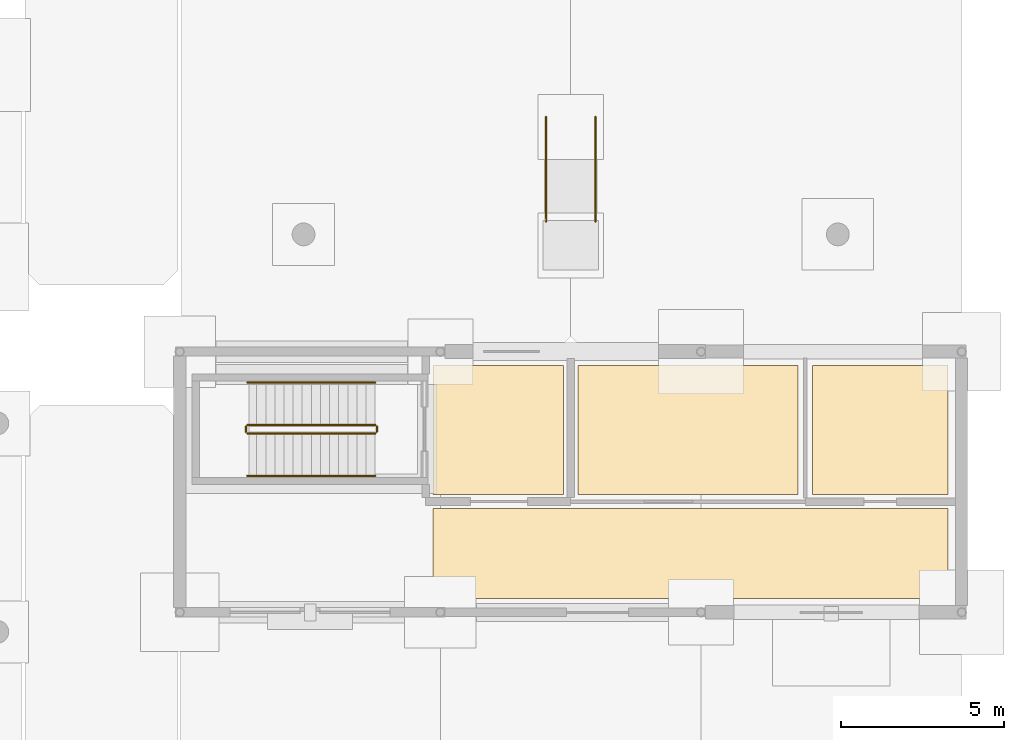
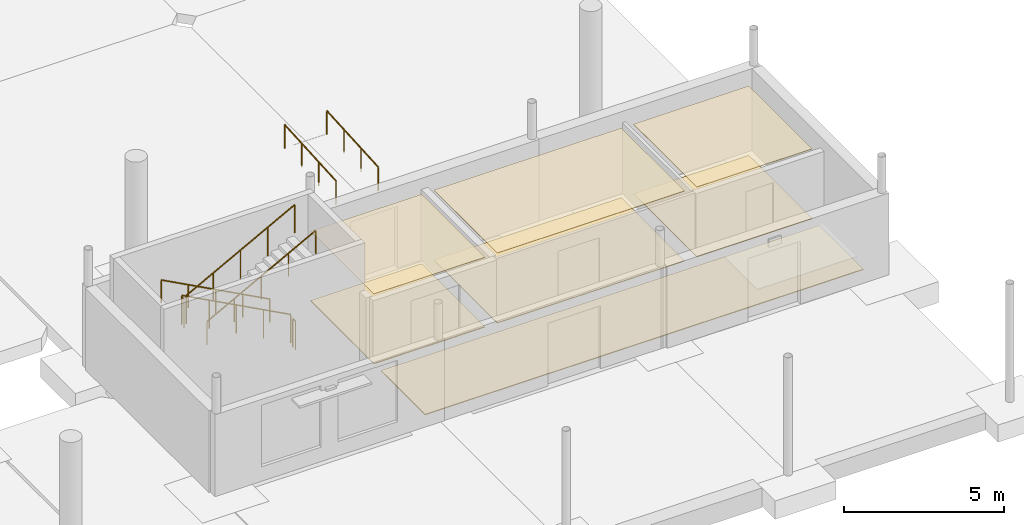
# One storey, part 62 of 63: 8 railings, 7 coverings.
"""IFC4 building model written with IfcOpenShell, lengths in metres."""

from ifc_helpers import new_model, si_unit, direction, frame, origin, origin_2d, place, context, subcontext, project, spatial, polyline, circle, outline, extrude, material, layer, layer_set, type_object, element, save


model = new_model("IFC4")

# Units and contexts
model_context = context("Model", 3, precision=1e-05, world=origin(), true_north=direction((0.0, 1.0)))
body_context = subcontext(model_context, "Body", "Model", "MODEL_VIEW")
ifc_project = project(units=[si_unit("LENGTHUNIT", "METRE"), si_unit("AREAUNIT", "SQUARE_METRE"), si_unit("VOLUMEUNIT", "CUBIC_METRE"), si_unit("PLANEANGLEUNIT", "RADIAN"), si_unit("MASSUNIT", "GRAM", prefix="KILO")], contexts=[model_context])

# Site, building, storey
site_placement = place(None, origin())
site = spatial("IfcSite", under=ifc_project, at=site_placement, CompositionType="ELEMENT")
building_placement = place(site_placement, origin())
building = spatial("IfcBuilding", under=site, at=building_placement, Name="Serraforn Aerial Cableway Station", CompositionType="ELEMENT")
storey_placement = place(building_placement, origin())
storey = spatial("IfcBuildingStorey", under=building, at=storey_placement, Name="L00", CompositionType="ELEMENT", Elevation=0.0)

# Coverings
ifc_material_1 = material(Name="Perforated acoustic mineral ceiling")
ifc_layer_1 = layer(ifc_material_1, 0.02490234375)
ifc_layer_set_1 = layer_set([ifc_layer_1], Name="Perforated acoustic mineral ceiling")
covering_type_1 = type_object("IfcCoveringType", Name="COV-CLG-AC", PredefinedType="CEILING", material=ifc_layer_set_1)
covering_1_placement = place(storey_placement, frame((0.0, 0.0, 2.659912109375)))
element("IfcCovering", 1, at=covering_1_placement, inside=storey, type_object=covering_type_1, Name="Suspended Ceiling L00-16", PredefinedType="CEILING", context=body_context, shape_type="SweptSolid", body=[
    extrude(outline(polyline([(156.219970703125, 11.6201171875), (156.219970703125, 15.580078125), (162.97998046875, 15.580078125), (162.97998046875, 11.6201171875), (156.219970703125, 11.6201171875)])), origin(), (0.0, 0.0, 1.0), 0.025146484375),
])
ifc_material_2 = material(Name="Fire-protective gypsum board ceiling")
ifc_layer_2 = layer(ifc_material_2, 0.02001953125)
ifc_layer_set_2 = layer_set([ifc_layer_2], Name="Fire-protective gypsum board ceiling")
covering_type_2 = type_object("IfcCoveringType", Name="COV-CLG-GYP", PredefinedType="CEILING", material=ifc_layer_set_2)
covering_2_placement = place(storey_placement, frame((0.0, 0.0, 2.659912109375)))
element("IfcCovering", 2, at=covering_2_placement, inside=storey, type_object=covering_type_2, Name="Suspended Ceiling L00-27", PredefinedType="CEILING", context=body_context, shape_type="SweptSolid", body=[
    extrude(outline(polyline([(151.77001953125, 11.6201171875), (151.77001953125, 15.580078125), (155.780029296875, 15.580078125), (155.780029296875, 11.6201171875), (151.77001953125, 11.6201171875)])), origin(), (0.0, 0.0, 1.0), 0.02001953125),
])
covering_3_placement = place(storey_placement, frame((0.0, 0.0, 2.659912109375)))
element("IfcCovering", 3, at=covering_3_placement, inside=storey, type_object=covering_type_2, Name="Suspended Ceiling L00-17", PredefinedType="CEILING", context=body_context, shape_type="SweptSolid", body=[
    extrude(outline(polyline([(163.419921875, 11.6201171875), (163.419921875, 15.580078125), (167.580078125, 15.580078125), (167.580078125, 11.6201171875), (163.419921875, 11.6201171875)])), origin(), (0.0, 0.0, 1.0), 0.02001953125),
])
ifc_material_3 = material(Name="Honed Montjuic limestone flooring", Category="masonry")
ifc_layer_3 = layer(ifc_material_3, 0.030029296875)
ifc_layer_set_3 = layer_set([ifc_layer_3], Name="Honed Montjuic limestone flooring")
covering_type_3 = type_object("IfcCoveringType", Name="COV-FLR-STN", PredefinedType="FLOORING", material=ifc_layer_set_3)
covering_4_placement = place(storey_placement, origin())
element("IfcCovering", 4, at=covering_4_placement, inside=storey, type_object=covering_type_3, Name="Flooring L00-18", PredefinedType="FLOORING", context=body_context, shape_type="SweptSolid", body=[
    extrude(outline(polyline([(151.77001953125, 8.419921875), (151.77001953125, 11.179931640625), (167.580078125, 11.179931640625), (167.580078125, 8.419921875), (151.77001953125, 8.419921875)])), origin(), (0.0, 0.0, 1.0), 0.030029296875),
])
covering_5_placement = place(storey_placement, origin())
element("IfcCovering", 5, at=covering_5_placement, inside=storey, type_object=covering_type_3, Name="Flooring L00-27", PredefinedType="FLOORING", context=body_context, shape_type="SweptSolid", body=[
    extrude(outline(polyline([(151.77001953125, 11.6201171875), (151.77001953125, 15.580078125), (155.780029296875, 15.580078125), (155.780029296875, 11.6201171875), (151.77001953125, 11.6201171875)])), origin(), (0.0, 0.0, 1.0), 0.030029296875),
])
covering_6_placement = place(storey_placement, origin())
element("IfcCovering", 6, at=covering_6_placement, inside=storey, type_object=covering_type_3, Name="Flooring L00-17", PredefinedType="FLOORING", context=body_context, shape_type="SweptSolid", body=[
    extrude(outline(polyline([(163.419921875, 11.6201171875), (163.419921875, 15.580078125), (167.580078125, 15.580078125), (167.580078125, 11.6201171875), (163.419921875, 11.6201171875)])), origin(), (0.0, 0.0, 1.0), 0.030029296875),
])
ifc_material_4 = material(Name="Catalan geometric terrazzo tile flooring")
ifc_layer_4 = layer(ifc_material_4, 0.02490234375)
ifc_layer_set_4 = layer_set([ifc_layer_4], Name="Catalan geometric terrazzo tile flooring")
covering_type_4 = type_object("IfcCoveringType", Name="COV-FLR-TER", PredefinedType="FLOORING", material=ifc_layer_set_4)
covering_7_placement = place(storey_placement, origin())
element("IfcCovering", 7, at=covering_7_placement, inside=storey, type_object=covering_type_4, Name="Flooring L00-16", PredefinedType="FLOORING", context=body_context, shape_type="SweptSolid", body=[
    extrude(outline(polyline([(156.219970703125, 11.6201171875), (156.219970703125, 15.580078125), (162.97998046875, 15.580078125), (162.97998046875, 11.6201171875), (156.219970703125, 11.6201171875)])), origin(), (0.0, 0.0, 1.0), 0.02490234375),
])

# Railings
ifc_material_5 = material(Name="Brushed bronze tubular handrail")
ifc_layer_5 = layer(ifc_material_5, 0.050048828125)
ifc_layer_set_5 = layer_set([ifc_layer_5], Name="Brushed bronze tubular handrail")
railing_type_1 = type_object("IfcRailingType", Name="RL-RAMP-HD", PredefinedType="HANDRAIL", material=ifc_layer_set_5)
for number, where, name in (
    (8, (155.239990234375, 20.0, -0.199951171875), "Ramp Handrail RMP-06-W"),
    (9, (156.760009765625, 20.0, -0.199951171875), "Ramp Handrail RMP-06-E"),
):
    element("IfcRailing", number, at=place(storey_placement, frame(where)), inside=storey, type_object=railing_type_1, Name=name, PredefinedType="HANDRAIL", context=body_context, shape_type="SweptSolid", body=[
        extrude(circle(Radius=0.02392578125, at=origin_2d()), frame((0.0, 0.0, 0.89599609375), z_axis=(0.0, 0.998053467252, 0.062364064216), x_axis=(-1.0, 0.0, 0.0)), (0.0, 0.0, 1.0), 3.206298828125),
        extrude(circle(Radius=0.02099609375, at=origin_2d()), origin(), (0.0, 0.0, 1.0), 0.871826171875),
        extrude(circle(Radius=0.02099609375, at=origin_2d()), frame((0.0, 1.066650390625, 0.066650390625)), (0.0, 0.0, 1.0), 0.871826171875),
        extrude(circle(Radius=0.02099609375, at=origin_2d()), frame((0.0, 2.13330078125, 0.13330078125)), (0.0, 0.0, 1.0), 0.871826171875),
        extrude(circle(Radius=0.02099609375, at=origin_2d()), frame((0.0, 3.199951171875, 0.199951171875)), (0.0, 0.0, 1.0), 0.871826171875),
    ])
ifc_material_6 = material(Name="Patinated bronze stair guardrail")
ifc_layer_6 = layer(ifc_material_6, 0.050048828125)
ifc_layer_set_6 = layer_set([ifc_layer_6], Name="Patinated bronze stair guardrail")
railing_type_2 = type_object("IfcRailingType", Name="RL-STR-GRD", PredefinedType="GUARDRAIL", material=ifc_layer_set_6)
railing_1_placement = place(storey_placement, frame((150.0, 13.75, 0.14990234375)))
element("IfcRailing", 10, at=railing_1_placement, inside=storey, type_object=railing_type_2, Name="L00 ST-07 stair guard 1", PredefinedType="GUARDRAIL", context=body_context, shape_type="SweptSolid", body=[
    extrude(circle(Radius=0.02392578125, at=origin_2d()), frame((0.0, 0.0, 1.076171875), z_axis=(-0.881466911329, 0.0, 0.472245787945), x_axis=(0.0, -1.0, 0.0)), (0.0, 0.0, 1.0), 4.447021484375),
    extrude(circle(Radius=0.02099609375, at=origin_2d()), origin(), (0.0, 0.0, 1.0), 1.052001953125),
    extrude(circle(Radius=0.02099609375, at=origin_2d()), frame((-0.97998046875, 0.0, 0.52490234375)), (0.0, 0.0, 1.0), 1.052001953125),
    extrude(circle(Radius=0.02099609375, at=origin_2d()), frame((-1.9599609375, 0.0, 1.050048828125)), (0.0, 0.0, 1.0), 1.052001953125),
    extrude(circle(Radius=0.02099609375, at=origin_2d()), frame((-2.93994140625, 0.0, 1.5751953125)), (0.0, 0.0, 1.0), 1.052001953125),
    extrude(circle(Radius=0.02099609375, at=origin_2d()), frame((-3.919921875, 0.0, 2.10009765625)), (0.0, 0.0, 1.0), 1.052001953125),
])
railing_2_placement = place(storey_placement, frame((146.030029296875, 13.699951171875, 2.25)))
element("IfcRailing", 11, at=railing_2_placement, inside=storey, type_object=railing_type_2, Name="L00 ST-07 stair guard 2", PredefinedType="GUARDRAIL", context=body_context, shape_type="SweptSolid", body=[
    extrude(circle(Radius=0.02392578125, at=origin_2d()), frame((0.0, 0.0, 1.076171875), z_axis=(0.0, -1.0, 0.0), x_axis=(1.0, 0.0, 0.0)), (0.0, 0.0, 1.0), 0.159912109375),
    extrude(circle(Radius=0.02099609375, at=origin_2d()), origin(), (0.0, 0.0, 1.0), 1.052001953125),
    extrude(circle(Radius=0.02099609375, at=origin_2d()), frame((0.0, -0.159912109375, 0.0)), (0.0, 0.0, 1.0), 1.052001953125),
])
railing_3_placement = place(storey_placement, frame((146.080078125, 13.489990234375, 2.39990234375)))
element("IfcRailing", 12, at=railing_3_placement, inside=storey, type_object=railing_type_2, Name="L00 ST-07 stair guard 3", PredefinedType="GUARDRAIL", context=body_context, shape_type="SweptSolid", body=[
    extrude(circle(Radius=0.02392578125, at=origin_2d()), frame((0.0, 0.0, 1.076171875), z_axis=(0.881466911329, 0.0, 0.472245787945), x_axis=(0.0, 1.0, 0.0)), (0.0, 0.0, 1.0), 4.447021484375),
    extrude(circle(Radius=0.02099609375, at=origin_2d()), origin(), (0.0, 0.0, 1.0), 1.052001953125),
    extrude(circle(Radius=0.02099609375, at=origin_2d()), frame((0.97998046875, 0.0, 0.52490234375)), (0.0, 0.0, 1.0), 1.052001953125),
    extrude(circle(Radius=0.02099609375, at=origin_2d()), frame((1.9599609375, 0.0, 1.050048828125)), (0.0, 0.0, 1.0), 1.052001953125),
    extrude(circle(Radius=0.02099609375, at=origin_2d()), frame((2.93994140625, 0.0, 1.5751953125)), (0.0, 0.0, 1.0), 1.052001953125),
    extrude(circle(Radius=0.02099609375, at=origin_2d()), frame((3.919921875, 0.0, 2.10009765625)), (0.0, 0.0, 1.0), 1.052001953125),
])
railing_4_placement = place(storey_placement, frame((150.050048828125, 13.699951171875, 0.0)))
element("IfcRailing", 13, at=railing_4_placement, inside=storey, type_object=railing_type_2, Name="L00 ST-07 stair guard 4", PredefinedType="GUARDRAIL", context=body_context, shape_type="SweptSolid", body=[
    extrude(circle(Radius=0.02392578125, at=origin_2d()), frame((0.0, 0.0, 1.076171875), z_axis=(0.0, -1.0, 0.0), x_axis=(1.0, 0.0, 0.0)), (0.0, 0.0, 1.0), 0.159912109375),
    extrude(circle(Radius=0.02099609375, at=origin_2d()), origin(), (0.0, 0.0, 1.0), 1.052001953125),
    extrude(circle(Radius=0.02099609375, at=origin_2d()), frame((0.0, -0.159912109375, 0.0)), (0.0, 0.0, 1.0), 1.052001953125),
])
ifc_layer_7 = layer(ifc_material_5, 0.048095703125)
ifc_layer_set_7 = layer_set([ifc_layer_7], Name="Brushed bronze tubular handrail")
railing_type_3 = type_object("IfcRailingType", Name="RL-STR-HDR", PredefinedType="HANDRAIL", material=ifc_layer_set_7)
railing_5_placement = place(storey_placement, frame((150.0, 15.050048828125, 0.14990234375)))
element("IfcRailing", 14, at=railing_5_placement, inside=storey, type_object=railing_type_3, Name="L00 ST-07 stair handrail 1", PredefinedType="HANDRAIL", context=body_context, shape_type="SweptSolid", body=[
    extrude(circle(Radius=0.02392578125, at=origin_2d()), frame((0.0, 0.0, 0.8759765625), z_axis=(-0.881466911329, 0.0, 0.472245787945), x_axis=(0.0, -1.0, 0.0)), (0.0, 0.0, 1.0), 4.447021484375),
    extrude(circle(Radius=0.02099609375, at=origin_2d()), origin(), (0.0, 0.0, 1.0), 0.851806640625),
    extrude(circle(Radius=0.02099609375, at=origin_2d()), frame((-0.97998046875, 0.0, 0.52490234375)), (0.0, 0.0, 1.0), 0.851806640625),
    extrude(circle(Radius=0.02099609375, at=origin_2d()), frame((-1.9599609375, 0.0, 1.050048828125)), (0.0, 0.0, 1.0), 0.851806640625),
    extrude(circle(Radius=0.02099609375, at=origin_2d()), frame((-2.93994140625, 0.0, 1.5751953125)), (0.0, 0.0, 1.0), 0.851806640625),
    extrude(circle(Radius=0.02099609375, at=origin_2d()), frame((-3.919921875, 0.0, 2.10009765625)), (0.0, 0.0, 1.0), 0.851806640625),
])
railing_6_placement = place(storey_placement, frame((146.080078125, 12.18994140625, 2.39990234375)))
element("IfcRailing", 15, at=railing_6_placement, inside=storey, type_object=railing_type_3, Name="L00 ST-07 stair handrail 2", PredefinedType="HANDRAIL", context=body_context, shape_type="SweptSolid", body=[
    extrude(circle(Radius=0.02392578125, at=origin_2d()), frame((0.0, 0.0, 0.8759765625), z_axis=(0.881466911329, 0.0, 0.472245787945), x_axis=(0.0, 1.0, 0.0)), (0.0, 0.0, 1.0), 4.447021484375),
    extrude(circle(Radius=0.02099609375, at=origin_2d()), origin(), (0.0, 0.0, 1.0), 0.851806640625),
    extrude(circle(Radius=0.02099609375, at=origin_2d()), frame((0.97998046875, 0.0, 0.52490234375)), (0.0, 0.0, 1.0), 0.851806640625),
    extrude(circle(Radius=0.02099609375, at=origin_2d()), frame((1.9599609375, 0.0, 1.050048828125)), (0.0, 0.0, 1.0), 0.851806640625),
    extrude(circle(Radius=0.02099609375, at=origin_2d()), frame((2.93994140625, 0.0, 1.5751953125)), (0.0, 0.0, 1.0), 0.851806640625),
    extrude(circle(Radius=0.02099609375, at=origin_2d()), frame((3.919921875, 0.0, 2.10009765625)), (0.0, 0.0, 1.0), 0.851806640625),
])

save(model, "model.ifc")
